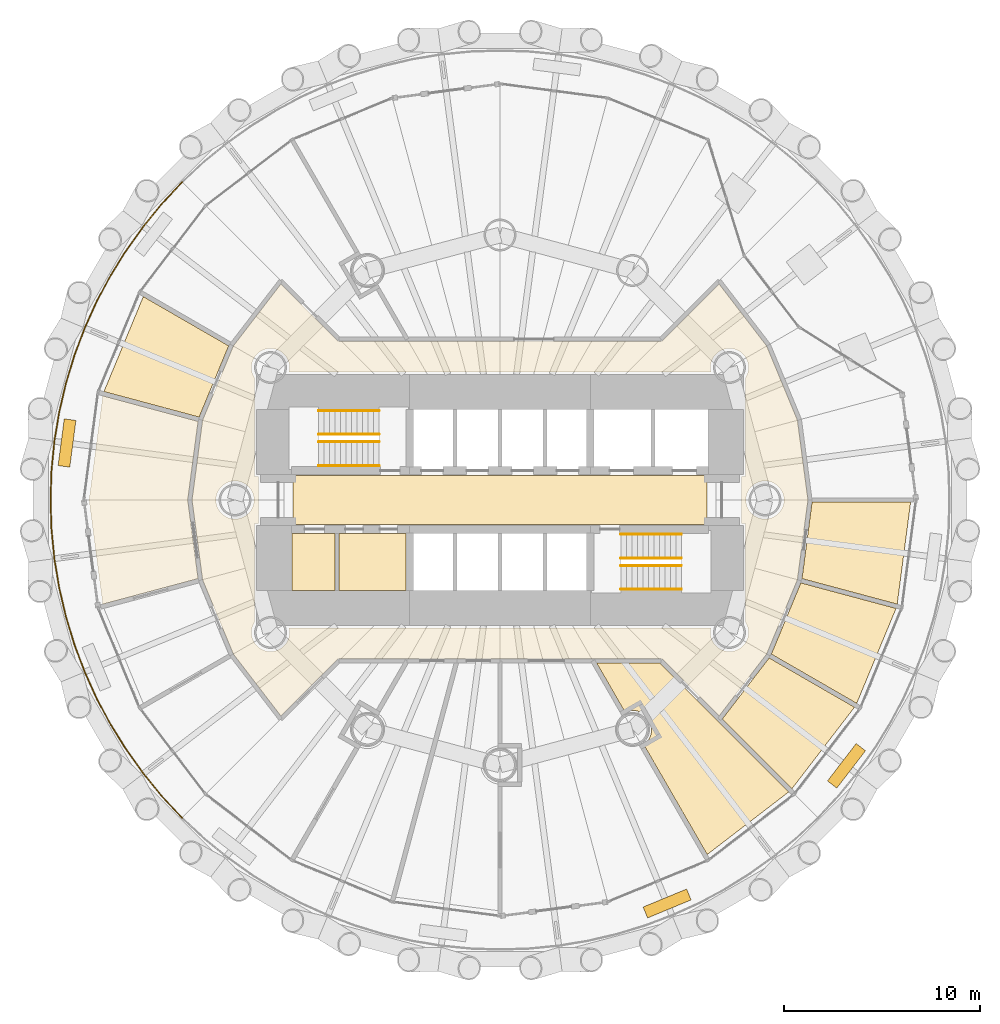
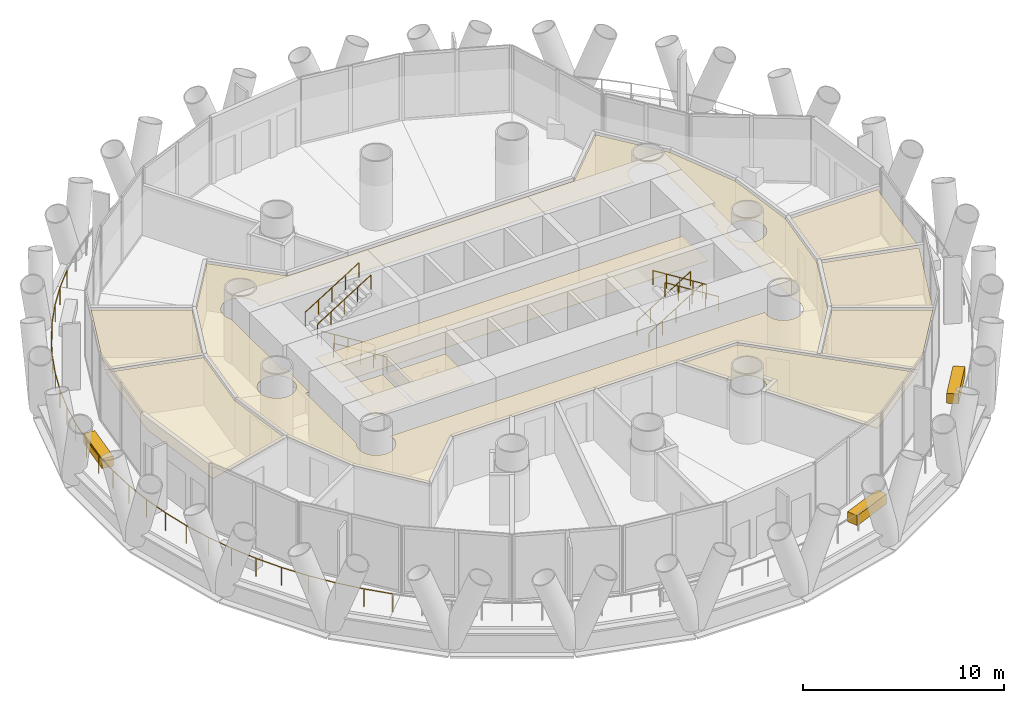
# One storey, part 13 of 15: 13 coverings, 9 railings.
"""IFC4 building model written with IfcOpenShell, lengths in metres."""

from ifc_helpers import new_model, si_unit, direction, frame, origin, origin_2d, place, context, subcontext, project, spatial, polyline, rectangle, circle, outline, extrude, material, layer, layer_set, type_object, element, save


model = new_model("IFC4")

# Units and contexts
model_context = context("Model", 3, precision=1e-05, world=origin(), true_north=direction((0.0, 1.0)))
body_context = subcontext(model_context, "Body", "Model", "MODEL_VIEW")
ifc_project = project(units=[si_unit("LENGTHUNIT", "METRE"), si_unit("AREAUNIT", "SQUARE_METRE"), si_unit("VOLUMEUNIT", "CUBIC_METRE"), si_unit("PLANEANGLEUNIT", "RADIAN"), si_unit("MASSUNIT", "GRAM", prefix="KILO")], contexts=[model_context])

# Site, building, storey
site_placement = place(None, origin())
site = spatial("IfcSite", under=ifc_project, at=site_placement, CompositionType="ELEMENT")
building_placement = place(site_placement, origin())
building = spatial("IfcBuilding", under=site, at=building_placement, Name="Qaws Media Tower", CompositionType="ELEMENT")
storey_placement = place(building_placement, frame((0.0, 0.0, 34.39990234375)))
storey = spatial("IfcBuildingStorey", under=building, at=storey_placement, Name="L06", CompositionType="ELEMENT", Elevation=34.39990234375)

# Coverings
ifc_material_1 = material(Name="40 perforated acoustic panels with mineral wool backing, suspended", Category="mineral fibre")
ifc_layer_1 = layer(ifc_material_1, 0.0400390625)
ifc_layer_set_1 = layer_set([ifc_layer_1], Name="Acoustic panel ceiling 40")
covering_type_1 = type_object("IfcCoveringType", Name="Acoustic panel ceiling 40", PredefinedType="CEILING", material=ifc_layer_set_1)
covering_1_placement = place(storey_placement, frame((0.0, 0.0, 2.85009765625)))
element("IfcCovering", 1, at=covering_1_placement, inside=storey, type_object=covering_type_1, Name="CL3 ceiling L06-04 Podcast booth", PredefinedType="CEILING", context=body_context, shape_type="SweptSolid", body=[
    extrude(outline(polyline([(41.826171875, 60.36279296875), (46.175048828125, 57.851806640625), (44.672119140625, 54.223388671875), (39.821533203125, 55.523193359375), (41.826171875, 60.36279296875)])), origin(), (0.0, 0.0, 1.0), 0.0400390625),
])
covering_2_placement = place(storey_placement, frame((0.0, 0.0, 2.85009765625)))
element("IfcCovering", 2, at=covering_2_placement, inside=storey, type_object=covering_type_1, Name="CL3 ceiling L06-05 Radio studio", PredefinedType="CEILING", context=body_context, shape_type="SweptSolid", body=[
    extrude(outline(polyline([(39.064697265625, 50.0), (39.76318359375, 55.305908203125), (44.614013671875, 54.006103515625), (44.08642578125, 50.0), (44.614013671875, 45.993896484375), (39.76318359375, 44.694091796875), (39.064697265625, 50.0)])), origin(), (0.0, 0.0, 1.0), 0.0400390625),
])
covering_3_placement = place(storey_placement, frame((0.0, 0.0, 2.85009765625)))
element("IfcCovering", 3, at=covering_3_placement, inside=storey, type_object=covering_type_1, Name="CL3 ceiling L06-11 Podcast booth", PredefinedType="CEILING", context=body_context, shape_type="SweptSolid", body=[
    extrude(outline(polyline([(70.5576171875, 31.938720703125), (67.330078125, 37.528564453125), (67.34228515625, 37.53662109375), (67.43798828125, 37.62060546875), (67.52197265625, 37.71630859375), (67.592529296875, 37.822265625), (67.64892578125, 37.936279296875), (67.689697265625, 38.056884765625), (67.714599609375, 38.181640625), (67.722900390625, 38.30859375), (67.714599609375, 38.435791015625), (67.689697265625, 38.560546875), (67.64892578125, 38.680908203125), (67.592529296875, 38.795166015625), (67.52197265625, 38.90087890625), (67.43798828125, 38.99658203125), (67.34228515625, 39.08056640625), (67.236572265625, 39.1513671875), (67.122314453125, 39.20751953125), (67.001708984375, 39.24853515625), (66.876953125, 39.273193359375), (66.75, 39.28173828125), (66.623046875, 39.273193359375), (66.498291015625, 39.24853515625), (66.377685546875, 39.20751953125), (66.364501953125, 39.201171875), (64.92919921875, 41.6875), (68.1533203125, 41.6875), (74.71337890625, 35.12744140625), (70.5576171875, 31.938720703125)])), origin(), (0.0, 0.0, 1.0), 0.0400390625),
])
covering_4_placement = place(storey_placement, frame((0.0, 0.0, 2.85009765625)))
element("IfcCovering", 4, at=covering_4_placement, inside=storey, type_object=covering_type_1, Name="CL3 ceiling L06-12 Music library", PredefinedType="CEILING", context=body_context, shape_type="SweptSolid", body=[
    extrude(outline(polyline([(74.87255859375, 35.28662109375), (71.321533203125, 38.83740234375), (73.71240234375, 41.953125), (78.061279296875, 39.4423828125), (74.87255859375, 35.28662109375)])), origin(), (0.0, 0.0, 1.0), 0.0400390625),
])

# Railing
ifc_material_2 = material(Name="Stainless steel and glass guard", Category="steel")
railing_type_1 = type_object("IfcRailingType", Name="Balcony guard 1100", PredefinedType="GUARDRAIL", material=ifc_material_2)
railing_placement = place(storey_placement, frame((43.807373046875, 66.192626953125, 0.0)))
element("IfcRailing", 5, at=railing_placement, inside=storey, type_object=railing_type_1, Name="GR1 balcony guard L06-2", PredefinedType="GUARDRAIL", context=body_context, shape_type="SweptSolid", body=[
    extrude(circle(Radius=0.02392578125, at=origin_2d()), frame((0.0, 0.0, 1.076171875), z_axis=(-0.683675509579, -0.729786131412, 0.0), x_axis=(0.729786131412, -0.683675509579, 0.0)), (0.0, 0.0, 1.0), 1.498291015625),
    extrude(circle(Radius=0.02392578125, at=origin_2d()), frame((-1.0244140625, -1.093505859375, 1.076171875), z_axis=(-0.634381518416, -0.773020109112, 0.0), x_axis=(0.773020109112, -0.634381518416, 0.0)), (0.0, 0.0, 1.0), 1.49853515625),
    extrude(circle(Radius=0.02392578125, at=origin_2d()), frame((-1.97509765625, -2.251953125, 1.076171875), z_axis=(-0.582578137613, -0.812774700378, 0.0), x_axis=(0.812774700378, -0.582578137613, 0.0)), (0.0, 0.0, 1.0), 1.49853515625),
    extrude(circle(Radius=0.02392578125, at=origin_2d()), frame((-2.84814453125, -3.469970703125, 1.076171875), z_axis=(-0.527991284342, -0.84924978873, 0.0), x_axis=(0.84924978873, -0.527991284342, 0.0)), (0.0, 0.0, 1.0), 1.49853515625),
    extrude(circle(Radius=0.02392578125, at=origin_2d()), frame((-3.639404296875, -4.74267578125, 1.076171875), z_axis=(-0.471357606408, -0.881942178876, 0.0), x_axis=(0.881942178876, -0.471357606408, 0.0)), (0.0, 0.0, 1.0), 1.49853515625),
    extrude(circle(Radius=0.02392578125, at=origin_2d()), frame((-4.345703125, -6.064208984375, 1.076171875), z_axis=(-0.412673353066, -0.910879082902, 0.0), x_axis=(0.910879082902, -0.412673353066, 0.0)), (0.0, 0.0, 1.0), 1.49853515625),
    extrude(circle(Radius=0.02392578125, at=origin_2d()), frame((-4.964111328125, -7.42919921875, 1.076171875), z_axis=(-0.352408662738, -0.935846213022, 0.0), x_axis=(0.935846213022, -0.352408662738, 0.0)), (0.0, 0.0, 1.0), 1.49853515625),
    extrude(circle(Radius=0.02392578125, at=origin_2d()), frame((-5.4921875, -8.83154296875, 1.076171875), z_axis=(-0.290156607475, -0.956979175917, 0.0), x_axis=(0.956979175917, -0.290156607475, 0.0)), (0.0, 0.0, 1.0), 1.49853515625),
    extrude(circle(Radius=0.02392578125, at=origin_2d()), frame((-5.927001953125, -10.265625, 1.076171875), z_axis=(-0.227095715315, -0.973872443437, 0.0), x_axis=(0.973872443437, -0.227095715315, 0.0)), (0.0, 0.0, 1.0), 1.49853515625),
    extrude(circle(Radius=0.02392578125, at=origin_2d()), frame((-6.267333984375, -11.72509765625, 1.076171875), z_axis=(-0.162919318839, -0.98663939489, 0.0), x_axis=(0.98663939489, -0.162919318839, 0.0)), (0.0, 0.0, 1.0), 1.49853515625),
    extrude(circle(Radius=0.02392578125, at=origin_2d()), frame((-6.511474609375, -13.20361328125, 1.076171875), z_axis=(-0.098084027218, -0.995178136619, 0.0), x_axis=(0.995178136619, -0.098084027218, 0.0)), (0.0, 0.0, 1.0), 1.49853515625),
    extrude(circle(Radius=0.02392578125, at=origin_2d()), frame((-6.658447265625, -14.69482421875, 1.076171875), z_axis=(-0.032582528068, -0.999469048478, 0.0), x_axis=(0.999469048478, -0.032582528068, 0.0)), (0.0, 0.0, 1.0), 1.49853515625),
    extrude(circle(Radius=0.02392578125, at=origin_2d()), frame((-6.707275390625, -16.192626953125, 1.076171875), z_axis=(0.032582528068, -0.999469048478, 0.0), x_axis=(0.999469048478, 0.032582528068, 0.0)), (0.0, 0.0, 1.0), 1.49853515625),
    extrude(circle(Radius=0.02392578125, at=origin_2d()), frame((-6.658447265625, -17.6904296875, 1.076171875), z_axis=(0.098084027218, -0.995178136619, 0.0), x_axis=(0.995178136619, 0.098084027218, 0.0)), (0.0, 0.0, 1.0), 1.49853515625),
    extrude(circle(Radius=0.02392578125, at=origin_2d()), frame((-6.511474609375, -19.181640625, 1.076171875), z_axis=(0.162919318839, -0.98663939489, 0.0), x_axis=(0.98663939489, 0.162919318839, 0.0)), (0.0, 0.0, 1.0), 1.49853515625),
    extrude(circle(Radius=0.02392578125, at=origin_2d()), frame((-6.267333984375, -20.66015625, 1.076171875), z_axis=(0.227095715315, -0.973872443437, 0.0), x_axis=(0.973872443437, 0.227095715315, 0.0)), (0.0, 0.0, 1.0), 1.49853515625),
    extrude(circle(Radius=0.02392578125, at=origin_2d()), frame((-5.927001953125, -22.11962890625, 1.076171875), z_axis=(0.290156607475, -0.956979175917, 0.0), x_axis=(0.956979175917, 0.290156607475, 0.0)), (0.0, 0.0, 1.0), 1.49853515625),
    extrude(circle(Radius=0.02392578125, at=origin_2d()), frame((-5.4921875, -23.5537109375, 1.076171875), z_axis=(0.352408662738, -0.935846213022, 0.0), x_axis=(0.935846213022, 0.352408662738, 0.0)), (0.0, 0.0, 1.0), 1.49853515625),
    extrude(circle(Radius=0.02392578125, at=origin_2d()), frame((-4.964111328125, -24.9560546875, 1.076171875), z_axis=(0.412673353066, -0.910879082902, 0.0), x_axis=(0.910879082902, 0.412673353066, 0.0)), (0.0, 0.0, 1.0), 1.49853515625),
    extrude(circle(Radius=0.02392578125, at=origin_2d()), frame((-4.345703125, -26.321044921875, 1.076171875), z_axis=(0.471357606408, -0.881942178876, 0.0), x_axis=(0.881942178876, 0.471357606408, 0.0)), (0.0, 0.0, 1.0), 1.49853515625),
    extrude(circle(Radius=0.02392578125, at=origin_2d()), frame((-3.639404296875, -27.642578125, 1.076171875), z_axis=(0.527991284342, -0.84924978873, 0.0), x_axis=(0.84924978873, 0.527991284342, 0.0)), (0.0, 0.0, 1.0), 1.49853515625),
    extrude(circle(Radius=0.02392578125, at=origin_2d()), frame((-2.84814453125, -28.915283203125, 1.076171875), z_axis=(0.582578137613, -0.812774700378, 0.0), x_axis=(0.812774700378, 0.582578137613, 0.0)), (0.0, 0.0, 1.0), 1.49853515625),
    extrude(circle(Radius=0.02392578125, at=origin_2d()), frame((-1.97509765625, -30.13330078125, 1.076171875), z_axis=(0.634381518416, -0.773020109112, 0.0), x_axis=(0.773020109112, 0.634381518416, 0.0)), (0.0, 0.0, 1.0), 1.49853515625),
    extrude(circle(Radius=0.02392578125, at=origin_2d()), frame((-1.0244140625, -31.291748046875, 1.076171875), z_axis=(0.683675509579, -0.729786131412, 0.0), x_axis=(0.729786131412, 0.683675509579, 0.0)), (0.0, 0.0, 1.0), 1.498291015625),
    extrude(circle(Radius=0.02099609375, at=origin_2d()), origin(), (0.0, 0.0, 1.0), 1.052001953125),
    extrude(circle(Radius=0.02099609375, at=origin_2d()), frame((-1.0244140625, -1.093505859375, 0.0)), (0.0, 0.0, 1.0), 1.052001953125),
    extrude(circle(Radius=0.02099609375, at=origin_2d()), frame((-1.97509765625, -2.251953125, 0.0)), (0.0, 0.0, 1.0), 1.052001953125),
    extrude(circle(Radius=0.02099609375, at=origin_2d()), frame((-2.84814453125, -3.469970703125, 0.0)), (0.0, 0.0, 1.0), 1.052001953125),
    extrude(circle(Radius=0.02099609375, at=origin_2d()), frame((-3.639404296875, -4.74267578125, 0.0)), (0.0, 0.0, 1.0), 1.052001953125),
    extrude(circle(Radius=0.02099609375, at=origin_2d()), frame((-4.345703125, -6.064208984375, 0.0)), (0.0, 0.0, 1.0), 1.052001953125),
    extrude(circle(Radius=0.02099609375, at=origin_2d()), frame((-4.964111328125, -7.42919921875, 0.0)), (0.0, 0.0, 1.0), 1.052001953125),
    extrude(circle(Radius=0.02099609375, at=origin_2d()), frame((-5.4921875, -8.83154296875, 0.0)), (0.0, 0.0, 1.0), 1.052001953125),
    extrude(circle(Radius=0.02099609375, at=origin_2d()), frame((-5.927001953125, -10.265625, 0.0)), (0.0, 0.0, 1.0), 1.052001953125),
    extrude(circle(Radius=0.02099609375, at=origin_2d()), frame((-6.267333984375, -11.72509765625, 0.0)), (0.0, 0.0, 1.0), 1.052001953125),
    extrude(circle(Radius=0.02099609375, at=origin_2d()), frame((-6.511474609375, -13.20361328125, 0.0)), (0.0, 0.0, 1.0), 1.052001953125),
    extrude(circle(Radius=0.02099609375, at=origin_2d()), frame((-6.658447265625, -14.69482421875, 0.0)), (0.0, 0.0, 1.0), 1.052001953125),
    extrude(circle(Radius=0.02099609375, at=origin_2d()), frame((-6.707275390625, -16.192626953125, 0.0)), (0.0, 0.0, 1.0), 1.052001953125),
    extrude(circle(Radius=0.02099609375, at=origin_2d()), frame((-6.658447265625, -17.6904296875, 0.0)), (0.0, 0.0, 1.0), 1.052001953125),
    extrude(circle(Radius=0.02099609375, at=origin_2d()), frame((-6.511474609375, -19.181640625, 0.0)), (0.0, 0.0, 1.0), 1.052001953125),
    extrude(circle(Radius=0.02099609375, at=origin_2d()), frame((-6.267333984375, -20.66015625, 0.0)), (0.0, 0.0, 1.0), 1.052001953125),
    extrude(circle(Radius=0.02099609375, at=origin_2d()), frame((-5.927001953125, -22.11962890625, 0.0)), (0.0, 0.0, 1.0), 1.052001953125),
    extrude(circle(Radius=0.02099609375, at=origin_2d()), frame((-5.4921875, -23.5537109375, 0.0)), (0.0, 0.0, 1.0), 1.052001953125),
    extrude(circle(Radius=0.02099609375, at=origin_2d()), frame((-4.964111328125, -24.9560546875, 0.0)), (0.0, 0.0, 1.0), 1.052001953125),
    extrude(circle(Radius=0.02099609375, at=origin_2d()), frame((-4.345703125, -26.321044921875, 0.0)), (0.0, 0.0, 1.0), 1.052001953125),
    extrude(circle(Radius=0.02099609375, at=origin_2d()), frame((-3.639404296875, -27.642578125, 0.0)), (0.0, 0.0, 1.0), 1.052001953125),
    extrude(circle(Radius=0.02099609375, at=origin_2d()), frame((-2.84814453125, -28.915283203125, 0.0)), (0.0, 0.0, 1.0), 1.052001953125),
    extrude(circle(Radius=0.02099609375, at=origin_2d()), frame((-1.97509765625, -30.13330078125, 0.0)), (0.0, 0.0, 1.0), 1.052001953125),
    extrude(circle(Radius=0.02099609375, at=origin_2d()), frame((-1.0244140625, -31.291748046875, 0.0)), (0.0, 0.0, 1.0), 1.052001953125),
    extrude(circle(Radius=0.02099609375, at=origin_2d()), frame((0.0, -32.38525390625, 0.0)), (0.0, 0.0, 1.0), 1.052001953125),
])

# Coverings
ifc_material_3 = material(Name="600 x 600 mineral fibre tiles in exposed grid, suspended", Category="mineral fibre")
ifc_layer_2 = layer(ifc_material_3, 0.02001953125)
ifc_layer_set_2 = layer_set([ifc_layer_2], Name="Mineral fibre tile ceiling 20")
covering_type_2 = type_object("IfcCoveringType", Name="Mineral fibre tile ceiling 20", PredefinedType="CEILING", material=ifc_layer_set_2)
covering_5_placement = place(storey_placement, frame((0.0, 0.0, 2.85009765625)))
element("IfcCovering", 6, at=covering_5_placement, inside=storey, type_object=covering_type_2, Name="CL1 ceiling L06-01 Corridor", PredefinedType="CEILING", context=body_context, shape_type="SweptSolid", body=[
    extrude(outline(polyline([(44.847900390625, 45.93994140625), (44.3134765625, 50.0), (44.847900390625, 54.06005859375), (46.4150390625, 57.84326171875), (48.8388671875, 61.001953125), (51.75341796875, 58.08740234375), (68.24658203125, 58.08740234375), (71.1611328125, 61.001953125), (73.5849609375, 57.84326171875), (75.152099609375, 54.06005859375), (75.6865234375, 50.0), (75.152099609375, 45.93994140625), (73.5849609375, 42.15673828125), (71.1611328125, 38.998046875), (68.24658203125, 41.91259765625), (51.75341796875, 41.91259765625), (48.8388671875, 38.998046875), (46.4150390625, 42.15673828125), (44.847900390625, 45.93994140625)]), holes=[polyline([(72.512451171875, 48.8125), (72.3125, 48.8125), (72.3125, 51.1875), (72.512451171875, 51.1875), (72.512451171875, 56.231201171875), (72.533935546875, 56.263427734375), (72.59033203125, 56.377685546875), (72.631103515625, 56.498291015625), (72.656005859375, 56.623046875), (72.664306640625, 56.75), (72.656005859375, 56.876953125), (72.631103515625, 57.001708984375), (72.59033203125, 57.122314453125), (72.533935546875, 57.236572265625), (72.46337890625, 57.34228515625), (72.37939453125, 57.43798828125), (72.28369140625, 57.52197265625), (72.177734375, 57.592529296875), (72.063720703125, 57.64892578125), (71.943115234375, 57.689697265625), (71.818359375, 57.714599609375), (71.69140625, 57.722900390625), (71.564208984375, 57.714599609375), (71.439453125, 57.689697265625), (71.319091796875, 57.64892578125), (71.204833984375, 57.592529296875), (71.09912109375, 57.52197265625), (71.00341796875, 57.43798828125), (70.91943359375, 57.34228515625), (70.8486328125, 57.236572265625), (70.79248046875, 57.122314453125), (70.75146484375, 57.001708984375), (70.726806640625, 56.876953125), (70.71826171875, 56.75), (70.726806640625, 56.623046875), (70.74853515625, 56.512451171875), (49.25146484375, 56.512451171875), (49.273193359375, 56.623046875), (49.28173828125, 56.75), (49.273193359375, 56.876953125), (49.24853515625, 57.001708984375), (49.20751953125, 57.122314453125), (49.1513671875, 57.236572265625), (49.08056640625, 57.34228515625), (48.99658203125, 57.43798828125), (48.90087890625, 57.52197265625), (48.795166015625, 57.592529296875), (48.680908203125, 57.64892578125), (48.560546875, 57.689697265625), (48.435791015625, 57.714599609375), (48.30859375, 57.722900390625), (48.181640625, 57.714599609375), (48.056884765625, 57.689697265625), (47.936279296875, 57.64892578125), (47.822265625, 57.592529296875), (47.71630859375, 57.52197265625), (47.62060546875, 57.43798828125), (47.53662109375, 57.34228515625), (47.466064453125, 57.236572265625), (47.40966796875, 57.122314453125), (47.368896484375, 57.001708984375), (47.343994140625, 56.876953125), (47.335693359375, 56.75), (47.343994140625, 56.623046875), (47.368896484375, 56.498291015625), (47.40966796875, 56.377685546875), (47.466064453125, 56.263427734375), (47.487548828125, 56.231201171875), (47.487548828125, 51.1875), (47.6875, 51.1875), (47.6875, 48.8125), (47.487548828125, 48.8125), (47.487548828125, 43.768798828125), (47.466064453125, 43.736572265625), (47.40966796875, 43.622314453125), (47.368896484375, 43.501708984375), (47.343994140625, 43.376953125), (47.335693359375, 43.25), (47.343994140625, 43.123046875), (47.368896484375, 42.998291015625), (47.40966796875, 42.877685546875), (47.466064453125, 42.763427734375), (47.53662109375, 42.65771484375), (47.62060546875, 42.56201171875), (47.71630859375, 42.47802734375), (47.822265625, 42.407470703125), (47.936279296875, 42.35107421875), (48.056884765625, 42.310302734375), (48.181640625, 42.285400390625), (48.30859375, 42.277099609375), (48.435791015625, 42.285400390625), (48.560546875, 42.310302734375), (48.680908203125, 42.35107421875), (48.795166015625, 42.407470703125), (48.90087890625, 42.47802734375), (48.99658203125, 42.56201171875), (49.08056640625, 42.65771484375), (49.1513671875, 42.763427734375), (49.20751953125, 42.877685546875), (49.24853515625, 42.998291015625), (49.273193359375, 43.123046875), (49.28173828125, 43.25), (49.273193359375, 43.376953125), (49.25146484375, 43.487548828125), (70.74853515625, 43.487548828125), (70.726806640625, 43.376953125), (70.71826171875, 43.25), (70.726806640625, 43.123046875), (70.75146484375, 42.998291015625), (70.79248046875, 42.877685546875), (70.8486328125, 42.763427734375), (70.91943359375, 42.65771484375), (71.00341796875, 42.56201171875), (71.09912109375, 42.47802734375), (71.204833984375, 42.407470703125), (71.319091796875, 42.35107421875), (71.439453125, 42.310302734375), (71.564208984375, 42.285400390625), (71.69140625, 42.277099609375), (71.818359375, 42.285400390625), (71.943115234375, 42.310302734375), (72.063720703125, 42.35107421875), (72.177734375, 42.407470703125), (72.28369140625, 42.47802734375), (72.37939453125, 42.56201171875), (72.46337890625, 42.65771484375), (72.533935546875, 42.763427734375), (72.59033203125, 42.877685546875), (72.631103515625, 42.998291015625), (72.656005859375, 43.123046875), (72.664306640625, 43.25), (72.656005859375, 43.376953125), (72.631103515625, 43.501708984375), (72.59033203125, 43.622314453125), (72.533935546875, 43.736572265625), (72.512451171875, 43.768798828125), (72.512451171875, 48.8125)]), polyline([(47.39892578125, 49.627685546875), (47.439697265625, 49.748291015625), (47.464599609375, 49.873046875), (47.472900390625, 50.0), (47.464599609375, 50.126953125), (47.439697265625, 50.251708984375), (47.39892578125, 50.372314453125), (47.342529296875, 50.486572265625), (47.27197265625, 50.59228515625), (47.18798828125, 50.68798828125), (47.09228515625, 50.77197265625), (46.986572265625, 50.842529296875), (46.872314453125, 50.89892578125), (46.751708984375, 50.939697265625), (46.626953125, 50.964599609375), (46.5, 50.972900390625), (46.373046875, 50.964599609375), (46.248291015625, 50.939697265625), (46.127685546875, 50.89892578125), (46.013427734375, 50.842529296875), (45.90771484375, 50.77197265625), (45.81201171875, 50.68798828125), (45.72802734375, 50.59228515625), (45.657470703125, 50.486572265625), (45.60107421875, 50.372314453125), (45.560302734375, 50.251708984375), (45.535400390625, 50.126953125), (45.527099609375, 50.0), (45.535400390625, 49.873046875), (45.560302734375, 49.748291015625), (45.60107421875, 49.627685546875), (45.657470703125, 49.513427734375), (45.72802734375, 49.40771484375), (45.81201171875, 49.31201171875), (45.90771484375, 49.22802734375), (46.013427734375, 49.157470703125), (46.127685546875, 49.10107421875), (46.248291015625, 49.060302734375), (46.373046875, 49.035400390625), (46.5, 49.027099609375), (46.626953125, 49.035400390625), (46.751708984375, 49.060302734375), (46.872314453125, 49.10107421875), (46.986572265625, 49.157470703125), (47.09228515625, 49.22802734375), (47.18798828125, 49.31201171875), (47.27197265625, 49.40771484375), (47.342529296875, 49.513427734375), (47.39892578125, 49.627685546875)]), polyline([(74.439697265625, 49.748291015625), (74.464599609375, 49.873046875), (74.472900390625, 50.0), (74.464599609375, 50.126953125), (74.439697265625, 50.251708984375), (74.39892578125, 50.372314453125), (74.342529296875, 50.486572265625), (74.27197265625, 50.59228515625), (74.18798828125, 50.68798828125), (74.09228515625, 50.77197265625), (73.986572265625, 50.842529296875), (73.872314453125, 50.89892578125), (73.751708984375, 50.939697265625), (73.626953125, 50.964599609375), (73.5, 50.972900390625), (73.373046875, 50.964599609375), (73.248291015625, 50.939697265625), (73.127685546875, 50.89892578125), (73.013427734375, 50.842529296875), (72.90771484375, 50.77197265625), (72.81201171875, 50.68798828125), (72.72802734375, 50.59228515625), (72.657470703125, 50.486572265625), (72.60107421875, 50.372314453125), (72.560302734375, 50.251708984375), (72.535400390625, 50.126953125), (72.527099609375, 50.0), (72.535400390625, 49.873046875), (72.560302734375, 49.748291015625), (72.60107421875, 49.627685546875), (72.657470703125, 49.513427734375), (72.72802734375, 49.40771484375), (72.81201171875, 49.31201171875), (72.90771484375, 49.22802734375), (73.013427734375, 49.157470703125), (73.127685546875, 49.10107421875), (73.248291015625, 49.060302734375), (73.373046875, 49.035400390625), (73.5, 49.027099609375), (73.626953125, 49.035400390625), (73.751708984375, 49.060302734375), (73.872314453125, 49.10107421875), (73.986572265625, 49.157470703125), (74.09228515625, 49.22802734375), (74.18798828125, 49.31201171875), (74.27197265625, 49.40771484375), (74.342529296875, 49.513427734375), (74.39892578125, 49.627685546875), (74.439697265625, 49.748291015625)])]), origin(), (0.0, 0.0, 1.0), 0.02001953125),
])
covering_6_placement = place(storey_placement, frame((0.0, 0.0, 2.85009765625)))
element("IfcCovering", 7, at=covering_6_placement, inside=storey, type_object=covering_type_2, Name="CL1 ceiling L06-13 Gents toilets", PredefinedType="CEILING", context=body_context, shape_type="SweptSolid", body=[
    extrude(outline(polyline([(78.173828125, 39.63720703125), (73.824951171875, 42.148193359375), (75.327880859375, 45.776611328125), (80.178466796875, 44.476806640625), (78.173828125, 39.63720703125)])), origin(), (0.0, 0.0, 1.0), 0.02001953125),
])
covering_7_placement = place(storey_placement, frame((0.0, 0.0, 2.85009765625)))
element("IfcCovering", 8, at=covering_7_placement, inside=storey, type_object=covering_type_2, Name="CL1 ceiling L06-14 Ladies toilets", PredefinedType="CEILING", context=body_context, shape_type="SweptSolid", body=[
    extrude(outline(polyline([(80.23681640625, 44.694091796875), (75.385986328125, 45.993896484375), (75.898681640625, 49.887451171875), (80.92041015625, 49.887451171875), (80.23681640625, 44.694091796875)])), origin(), (0.0, 0.0, 1.0), 0.02001953125),
])
covering_8_placement = place(storey_placement, frame((0.0, 0.0, 2.85009765625)))
element("IfcCovering", 9, at=covering_8_placement, inside=storey, type_object=covering_type_2, Name="CL1 ceiling L06-C05 Shower room", PredefinedType="CEILING", context=body_context, shape_type="SweptSolid", body=[
    extrude(outline(polyline([(51.800048828125, 45.39990234375), (51.800048828125, 48.300048828125), (55.199951171875, 48.300048828125), (55.199951171875, 45.39990234375), (51.800048828125, 45.39990234375)])), origin(), (0.0, 0.0, 1.0), 0.02001953125),
])
ifc_material_4 = material(Name="Precast concrete planter with trailing planting", Category="concrete")
ifc_layer_3 = layer(ifc_material_4, 0.60009765625)
ifc_layer_set_3 = layer_set([ifc_layer_3], Name="Planter 2400x600")
covering_type_3 = type_object("IfcCoveringType", Name="Planter 2400x600", PredefinedType="USERDEFINED", material=ifc_layer_set_3)
for number, where, z_axis, x_axis, name in (
    (10, (37.9404296875, 52.904296875, 0.0), (0.0, 0.0, 1.0), (-0.13052619222, -0.991444861374, 0.0), "PL1 balcony planter L06-06"),
    (11, (68.5146484375, 29.443603515625, 0.0), (0.0, 0.0, 1.0), (0.923879532511, 0.382683432365, 0.0), "PL1 balcony planter L06-10"),
    (12, (77.652099609375, 36.455078125, 0.0), (0.0, 0.0, 1.0), (0.608761429009, 0.793353340291, 0.0), "PL1 balcony planter L06-11"),
):
    element("IfcCovering", number, at=place(storey_placement, frame(where, z_axis=z_axis, x_axis=x_axis)), inside=storey, type_object=covering_type_3, Name=name, ObjectType="PLANTER", PredefinedType="USERDEFINED", context=body_context, shape_type="SweptSolid", body=[
        extrude(rectangle(XDim=2.39990234375, YDim=0.60009765625, at=origin_2d()), origin(), (0.0, 0.0, 1.0), 0.60009765625),
    ])
ifc_material_5 = material(Name="Two layers 12.5 moisture-resistant plasterboard on suspended metal furring", Category="gypsum")
ifc_layer_4 = layer(ifc_material_5, 0.02490234375)
ifc_layer_set_4 = layer_set([ifc_layer_4], Name="Plasterboard ceiling 25")
covering_type_4 = type_object("IfcCoveringType", Name="Plasterboard ceiling 25", PredefinedType="CEILING", material=ifc_layer_set_4)
covering_9_placement = place(storey_placement, frame((0.0, 0.0, 2.85009765625)))
element("IfcCovering", 13, at=covering_9_placement, inside=storey, type_object=covering_type_4, Name="CL2 ceiling L06-C01 Lift lobby", PredefinedType="CEILING", context=body_context, shape_type="SweptSolid", body=[
    extrude(outline(polyline([(49.449951171875, 48.75), (49.449951171875, 51.25), (70.550048828125, 51.25), (70.550048828125, 48.75), (49.449951171875, 48.75)])), origin(), (0.0, 0.0, 1.0), 0.02490234375),
])
covering_10_placement = place(storey_placement, frame((0.0, 0.0, 2.85009765625)))
element("IfcCovering", 14, at=covering_10_placement, inside=storey, type_object=covering_type_4, Name="CL2 ceiling L06-C04 Accessible WC", PredefinedType="CEILING", context=body_context, shape_type="SweptSolid", body=[
    extrude(outline(polyline([(49.39990234375, 45.39990234375), (49.39990234375, 48.300048828125), (51.60009765625, 48.300048828125), (51.60009765625, 45.39990234375), (49.39990234375, 45.39990234375)])), origin(), (0.0, 0.0, 1.0), 0.02490234375),
])

# Railings
ifc_material_6 = material(Name="Steel tube handrail", Category="steel")
railing_type_2 = type_object("IfcRailingType", Name="Stair handrail 900", PredefinedType="HANDRAIL", material=ifc_material_6)
for number, where, name in (
    (15, (53.840087890625, 51.75, 0.175048828125), "HR1 handrail S1 flight 1 L06"),
    (16, (53.840087890625, 52.9599609375, 0.175048828125), "HR1 handrail S1 flight 1 L06"),
):
    element("IfcRailing", number, at=place(storey_placement, frame(where)), inside=storey, type_object=railing_type_2, Name=name, PredefinedType="HANDRAIL", context=body_context, shape_type="SweptSolid", body=[
        extrude(circle(Radius=0.02392578125, at=origin_2d()), frame((0.0, 0.0, 0.8759765625), z_axis=(-0.847998304005, 0.0, 0.529998940003), x_axis=(0.0, -1.0, 0.0)), (0.0, 0.0, 1.0), 3.632080078125),
        extrude(circle(Radius=0.02099609375, at=origin_2d()), origin(), (0.0, 0.0, 1.0), 0.851806640625),
        extrude(circle(Radius=0.02099609375, at=origin_2d()), frame((-0.77001953125, 0.0, 0.481201171875)), (0.0, 0.0, 1.0), 0.851806640625),
        extrude(circle(Radius=0.02099609375, at=origin_2d()), frame((-1.5400390625, 0.0, 0.96240234375)), (0.0, 0.0, 1.0), 0.851806640625),
        extrude(circle(Radius=0.02099609375, at=origin_2d()), frame((-2.31005859375, 0.0, 1.44384765625)), (0.0, 0.0, 1.0), 0.851806640625),
        extrude(circle(Radius=0.02099609375, at=origin_2d()), frame((-3.080078125, 0.0, 1.925048828125)), (0.0, 0.0, 1.0), 0.851806640625),
    ])
for number, where, name in (
    (17, (50.760009765625, 54.550048828125, 2.275146484375), "HR1 handrail S1 flight 2 L06"),
    (18, (50.760009765625, 53.340087890625, 2.275146484375), "HR1 handrail S1 flight 2 L06"),
    (19, (66.159912109375, 48.25, 0.175048828125), "HR1 handrail S2 flight 1 L06"),
    (20, (66.159912109375, 47.0400390625, 0.175048828125), "HR1 handrail S2 flight 1 L06"),
):
    element("IfcRailing", number, at=place(storey_placement, frame(where)), inside=storey, type_object=railing_type_2, Name=name, PredefinedType="HANDRAIL", context=body_context, shape_type="SweptSolid", body=[
        extrude(circle(Radius=0.02392578125, at=origin_2d()), frame((0.0, 0.0, 0.8759765625), z_axis=(0.847998304005, 0.0, 0.529998940003), x_axis=(0.0, 1.0, 0.0)), (0.0, 0.0, 1.0), 3.632080078125),
        extrude(circle(Radius=0.02099609375, at=origin_2d()), origin(), (0.0, 0.0, 1.0), 0.851806640625),
        extrude(circle(Radius=0.02099609375, at=origin_2d()), frame((0.77001953125, 0.0, 0.481201171875)), (0.0, 0.0, 1.0), 0.851806640625),
        extrude(circle(Radius=0.02099609375, at=origin_2d()), frame((1.5400390625, 0.0, 0.96240234375)), (0.0, 0.0, 1.0), 0.851806640625),
        extrude(circle(Radius=0.02099609375, at=origin_2d()), frame((2.31005859375, 0.0, 1.44384765625)), (0.0, 0.0, 1.0), 0.851806640625),
        extrude(circle(Radius=0.02099609375, at=origin_2d()), frame((3.080078125, 0.0, 1.925048828125)), (0.0, 0.0, 1.0), 0.851806640625),
    ])
for number, where, name in (
    (21, (69.239990234375, 45.449951171875, 2.275146484375), "HR1 handrail S2 flight 2 L06"),
    (22, (69.239990234375, 46.659912109375, 2.275146484375), "HR1 handrail S2 flight 2 L06"),
):
    element("IfcRailing", number, at=place(storey_placement, frame(where)), inside=storey, type_object=railing_type_2, Name=name, PredefinedType="HANDRAIL", context=body_context, shape_type="SweptSolid", body=[
        extrude(circle(Radius=0.02392578125, at=origin_2d()), frame((0.0, 0.0, 0.8759765625), z_axis=(-0.847998304005, 0.0, 0.529998940003), x_axis=(0.0, -1.0, 0.0)), (0.0, 0.0, 1.0), 3.632080078125),
        extrude(circle(Radius=0.02099609375, at=origin_2d()), origin(), (0.0, 0.0, 1.0), 0.851806640625),
        extrude(circle(Radius=0.02099609375, at=origin_2d()), frame((-0.77001953125, 0.0, 0.481201171875)), (0.0, 0.0, 1.0), 0.851806640625),
        extrude(circle(Radius=0.02099609375, at=origin_2d()), frame((-1.5400390625, 0.0, 0.96240234375)), (0.0, 0.0, 1.0), 0.851806640625),
        extrude(circle(Radius=0.02099609375, at=origin_2d()), frame((-2.31005859375, 0.0, 1.44384765625)), (0.0, 0.0, 1.0), 0.851806640625),
        extrude(circle(Radius=0.02099609375, at=origin_2d()), frame((-3.080078125, 0.0, 1.925048828125)), (0.0, 0.0, 1.0), 0.851806640625),
    ])

save(model, "model.ifc")
